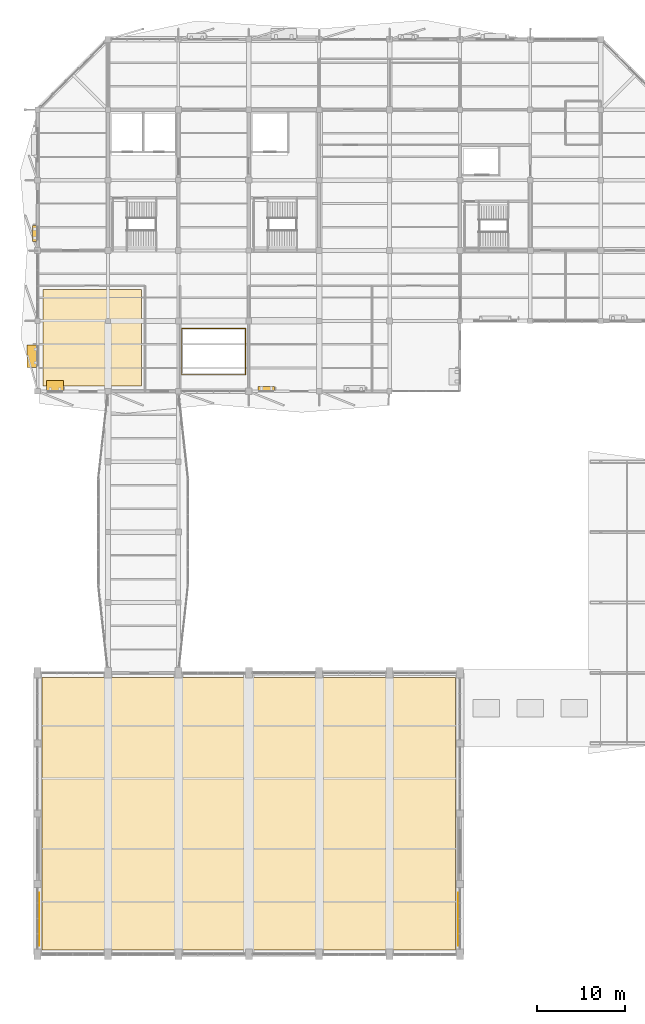
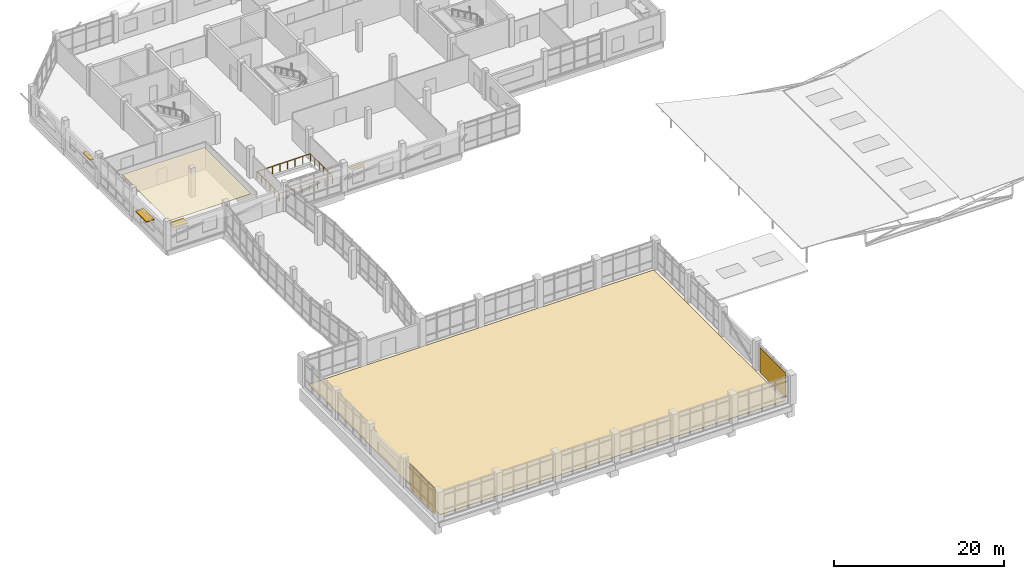
# One storey, part 79 of 84: 4 coverings, 4 shading devices, 1 railing.
"""IFC4 building model written with IfcOpenShell, lengths in metres."""

from ifc_helpers import new_model, si_unit, direction, frame, origin, origin_2d, place, context, subcontext, project, spatial, polyline, rectangle, circle, outline, extrude, material, layer, layer_set, type_object, element, save


model = new_model("IFC4")

# Units and contexts
model_context = context("Model", 3, precision=1e-05, world=origin(), true_north=direction((0.0, 1.0)))
body_context = subcontext(model_context, "Body", "Model", "MODEL_VIEW")
ifc_project = project(units=[si_unit("LENGTHUNIT", "METRE"), si_unit("AREAUNIT", "SQUARE_METRE"), si_unit("VOLUMEUNIT", "CUBIC_METRE"), si_unit("PLANEANGLEUNIT", "RADIAN"), si_unit("MASSUNIT", "GRAM", prefix="KILO")], contexts=[model_context])

# Site, building, storey
site_placement = place(None, origin())
site = spatial("IfcSite", under=ifc_project, at=site_placement, CompositionType="ELEMENT")
building_placement = place(site_placement, origin())
building = spatial("IfcBuilding", under=site, at=building_placement, Name="Tenunan Teduh Sports Hall", CompositionType="ELEMENT")
storey_placement = place(building_placement, frame((0.0, 0.0, 10.800048828125)))
storey = spatial("IfcBuildingStorey", under=building, at=storey_placement, Name="L02", CompositionType="ELEMENT", Elevation=10.800048828125)

# Coverings
ifc_material_1 = material(Name="Perforated mineral-fibre acoustic ceiling")
ifc_layer_1 = layer(ifc_material_1, 0.0400390625)
ifc_layer_set_1 = layer_set([ifc_layer_1], Name="Perforated mineral-fibre acoustic ceiling")
covering_type_1 = type_object("IfcCoveringType", Name="COV-CLG-AC", PredefinedType="CEILING", material=ifc_layer_set_1)
covering_1_placement = place(storey_placement, frame((0.0, 0.0, 3.39990234375)))
element("IfcCovering", 1, at=covering_1_placement, inside=storey, type_object=covering_type_1, Name="COV-CLG-L02W", PredefinedType="CEILING", context=body_context, shape_type="SweptSolid", body=[
    extrude(outline(polyline([(6.60009765625, 78.60009765625), (17.800048828125, 78.60009765625), (17.800048828125, 89.60009765625), (6.60009765625, 89.60009765625), (6.60009765625, 78.60009765625)])), origin(), (0.0, 0.0, 1.0), 0.0400390625),
])
ifc_material_2 = material(Name="FIBA area-elastic sprung maple sports floor")
ifc_layer_2 = layer(ifc_material_2, 0.06494140625)
ifc_layer_set_2 = layer_set([ifc_layer_2], Name="FIBA area-elastic sprung maple sports floor")
covering_type_2 = type_object("IfcCoveringType", Name="COV-FLR-SPR", PredefinedType="FLOORING", material=ifc_layer_set_2)
covering_2_placement = place(storey_placement, origin())
element("IfcCovering", 2, at=covering_2_placement, inside=storey, type_object=covering_type_2, Name="COV-FLR-V2U", PredefinedType="FLOORING", context=body_context, shape_type="SweptSolid", body=[
    extrude(outline(polyline([(6.5, 14.5), (53.5, 14.5), (53.5, 45.5), (6.5, 45.5), (6.5, 14.5)])), origin(), (0.0, 0.0, 1.0), 0.06494140625),
])
ifc_material_3 = material(Name="Slatted timber acoustic wall absorption panel", Category="wood")
ifc_layer_3 = layer(ifc_material_3, 0.050048828125)
ifc_layer_set_3 = layer_set([ifc_layer_3], Name="Slatted timber acoustic wall absorption panel")
covering_type_3 = type_object("IfcCoveringType", Name="COV-WALL-AC", PredefinedType="CLADDING", material=ifc_layer_set_3)
covering_3_placement = place(storey_placement, origin())
element("IfcCovering", 3, at=covering_3_placement, inside=storey, type_object=covering_type_3, Name="COV-WLN-05", PredefinedType="CLADDING", context=body_context, shape_type="SweptSolid", body=[
    extrude(outline(polyline([(6.139892578125, 15.0), (6.18994140625, 15.0), (6.18994140625, 21.0), (6.139892578125, 21.0), (6.139892578125, 15.0)])), origin(), (0.0, 0.0, 1.0), 3.599853515625),
])
covering_4_placement = place(storey_placement, origin())
element("IfcCovering", 4, at=covering_4_placement, inside=storey, type_object=covering_type_3, Name="COV-WLN-06", PredefinedType="CLADDING", context=body_context, shape_type="SweptSolid", body=[
    extrude(outline(polyline([(53.81005859375, 15.0), (53.860107421875, 15.0), (53.860107421875, 21.0), (53.81005859375, 21.0), (53.81005859375, 15.0)])), origin(), (0.0, 0.0, 1.0), 3.599853515625),
])

# Railing
ifc_material_4 = material(Name="Laminated safety glass and stainless steel", Category="steel")
ifc_layer_4 = layer(ifc_material_4, 0.080078125)
ifc_layer_set_4 = layer_set([ifc_layer_4], Name="Laminated safety glass and stainless steel")
railing_type = type_object("IfcRailingType", Name="RLG-BAL-GLZ", PredefinedType="BALUSTRADE", material=ifc_layer_set_4)
railing_placement = place(storey_placement, frame((22.3798828125, 79.9599609375, 0.0)))
element("IfcRailing", 5, at=railing_placement, inside=storey, type_object=railing_type, Name="RLG-L02-V5W-VOID", PredefinedType="BALUSTRADE", context=body_context, shape_type="SweptSolid", body=[
    extrude(circle(Radius=0.02392578125, at=origin_2d()), frame((0.0, 0.0, 1.09619140625), z_axis=(0.0, -1.0, 0.0), x_axis=(1.0, 0.0, 0.0)), (0.0, 0.0, 1.0), 0.080078125),
    extrude(circle(Radius=0.02392578125, at=origin_2d()), frame((0.0, -0.080078125, 1.09619140625), z_axis=(1.0, 0.0, 0.0), x_axis=(0.0, 1.0, 0.0)), (0.0, 0.0, 1.0), 7.240234375),
    extrude(circle(Radius=0.02392578125, at=origin_2d()), frame((7.240234375, -0.080078125, 1.09619140625), z_axis=(0.0, 1.0, 0.0), x_axis=(-1.0, 0.0, 0.0)), (0.0, 0.0, 1.0), 5.240234375),
    extrude(circle(Radius=0.02392578125, at=origin_2d()), frame((7.240234375, 5.16015625, 1.09619140625), z_axis=(-1.0, 0.0, 0.0), x_axis=(0.0, -1.0, 0.0)), (0.0, 0.0, 1.0), 7.240234375),
    extrude(circle(Radius=0.02392578125, at=origin_2d()), frame((0.0, 5.16015625, 1.09619140625), z_axis=(0.0, -1.0, 0.0), x_axis=(1.0, 0.0, 0.0)), (0.0, 0.0, 1.0), 5.06005859375),
    extrude(circle(Radius=0.02099609375, at=origin_2d()), origin(), (0.0, 0.0, 1.0), 1.072021484375),
    extrude(circle(Radius=0.02099609375, at=origin_2d()), frame((0.0, -0.080078125, 0.0)), (0.0, 0.0, 1.0), 1.072021484375),
    extrude(circle(Radius=0.02099609375, at=origin_2d()), frame((1.034423828125, -0.080078125, 0.0)), (0.0, 0.0, 1.0), 1.072021484375),
    extrude(circle(Radius=0.02099609375, at=origin_2d()), frame((2.068603515625, -0.080078125, 0.0)), (0.0, 0.0, 1.0), 1.072021484375),
    extrude(circle(Radius=0.02099609375, at=origin_2d()), frame((3.10302734375, -0.080078125, 0.0)), (0.0, 0.0, 1.0), 1.072021484375),
    extrude(circle(Radius=0.02099609375, at=origin_2d()), frame((4.13720703125, -0.080078125, 0.0)), (0.0, 0.0, 1.0), 1.072021484375),
    extrude(circle(Radius=0.02099609375, at=origin_2d()), frame((5.171630859375, -0.080078125, 0.0)), (0.0, 0.0, 1.0), 1.072021484375),
    extrude(circle(Radius=0.02099609375, at=origin_2d()), frame((6.205810546875, -0.080078125, 0.0)), (0.0, 0.0, 1.0), 1.072021484375),
    extrude(circle(Radius=0.02099609375, at=origin_2d()), frame((7.240234375, -0.080078125, 0.0)), (0.0, 0.0, 1.0), 1.072021484375),
    extrude(circle(Radius=0.02099609375, at=origin_2d()), frame((7.240234375, 0.968017578125, 0.0)), (0.0, 0.0, 1.0), 1.072021484375),
    extrude(circle(Radius=0.02099609375, at=origin_2d()), frame((7.240234375, 2.01611328125, 0.0)), (0.0, 0.0, 1.0), 1.072021484375),
    extrude(circle(Radius=0.02099609375, at=origin_2d()), frame((7.240234375, 3.06396484375, 0.0)), (0.0, 0.0, 1.0), 1.072021484375),
    extrude(circle(Radius=0.02099609375, at=origin_2d()), frame((7.240234375, 4.112060546875, 0.0)), (0.0, 0.0, 1.0), 1.072021484375),
    extrude(circle(Radius=0.02099609375, at=origin_2d()), frame((7.240234375, 5.16015625, 0.0)), (0.0, 0.0, 1.0), 1.072021484375),
    extrude(circle(Radius=0.02099609375, at=origin_2d()), frame((6.205810546875, 5.16015625, 0.0)), (0.0, 0.0, 1.0), 1.072021484375),
    extrude(circle(Radius=0.02099609375, at=origin_2d()), frame((5.171630859375, 5.16015625, 0.0)), (0.0, 0.0, 1.0), 1.072021484375),
    extrude(circle(Radius=0.02099609375, at=origin_2d()), frame((4.13720703125, 5.16015625, 0.0)), (0.0, 0.0, 1.0), 1.072021484375),
    extrude(circle(Radius=0.02099609375, at=origin_2d()), frame((3.10302734375, 5.16015625, 0.0)), (0.0, 0.0, 1.0), 1.072021484375),
    extrude(circle(Radius=0.02099609375, at=origin_2d()), frame((2.068603515625, 5.16015625, 0.0)), (0.0, 0.0, 1.0), 1.072021484375),
    extrude(circle(Radius=0.02099609375, at=origin_2d()), frame((1.034423828125, 5.16015625, 0.0)), (0.0, 0.0, 1.0), 1.072021484375),
    extrude(circle(Radius=0.02099609375, at=origin_2d()), frame((0.0, 5.16015625, 0.0)), (0.0, 0.0, 1.0), 1.072021484375),
    extrude(circle(Radius=0.02099609375, at=origin_2d()), frame((0.0, 4.148193359375, 0.0)), (0.0, 0.0, 1.0), 1.072021484375),
    extrude(circle(Radius=0.02099609375, at=origin_2d()), frame((0.0, 3.13623046875, 0.0)), (0.0, 0.0, 1.0), 1.072021484375),
    extrude(circle(Radius=0.02099609375, at=origin_2d()), frame((0.0, 2.1240234375, 0.0)), (0.0, 0.0, 1.0), 1.072021484375),
    extrude(circle(Radius=0.02099609375, at=origin_2d()), frame((0.0, 1.112060546875, 0.0)), (0.0, 0.0, 1.0), 1.072021484375),
    extrude(circle(Radius=0.02099609375, at=origin_2d()), frame((0.0, 0.10009765625, 0.0)), (0.0, 0.0, 1.0), 1.072021484375),
])

# Shading devices
ifc_material_5 = material(Name="Perforated anodised aluminium", Category="aluminium")
shading_device_type_1 = type_object("IfcShadingDeviceType", Name="SHD-LOUVRE-1", PredefinedType="AWNING", material=ifc_material_5)
shading_device_1_placement = place(storey_placement, frame((32.0, 78.324951171875, 2.56982421875), z_axis=(0.0, 0.0, 1.0), x_axis=(1.0, 0.0, 0.0)))
element("IfcShadingDevice", 6, at=shading_device_1_placement, inside=storey, type_object=shading_device_type_1, Name="SHD-L02-039", PredefinedType="AWNING", context=body_context, shape_type="SweptSolid", body=[
    extrude(rectangle(XDim=1.89990234375, YDim=0.449951171875, at=origin_2d()), origin(), (0.0, 0.0, 1.0), 0.080078125),
])
shading_device_2_placement = place(storey_placement, frame((5.655029296875, 95.949951171875, 2.56982421875), z_axis=(0.0, 0.0, 1.0), x_axis=(0.0, 1.0, 0.0)))
element("IfcShadingDevice", 7, at=shading_device_2_placement, inside=storey, type_object=shading_device_type_1, Name="SHD-L02-051", PredefinedType="AWNING", context=body_context, shape_type="SweptSolid", body=[
    extrude(rectangle(XDim=1.800048828125, YDim=0.449951171875, at=origin_2d()), origin(), (0.0, 0.0, 1.0), 0.080078125),
])
ifc_material_6 = material(Name="Perforated anodised aluminium", Category="aluminium")
shading_device_type_2 = type_object("IfcShadingDeviceType", Name="SHD-SUNSHADE-1", PredefinedType="JALOUSIE", material=ifc_material_6)
shading_device_3_placement = place(storey_placement, frame((7.97509765625, 78.669921875, 2.5498046875), z_axis=(0.0, 0.0, 1.0), x_axis=(1.0, 0.0, 0.0)))
element("IfcShadingDevice", 8, at=shading_device_3_placement, inside=storey, type_object=shading_device_type_2, Name="SHD-L02-038", PredefinedType="JALOUSIE", context=body_context, shape_type="SweptSolid", body=[
    extrude(rectangle(XDim=1.89990234375, YDim=1.10009765625, at=origin_2d()), origin(), (0.0, 0.0, 1.0), 0.1201171875),
])
shading_device_4_placement = place(storey_placement, frame((5.3349609375, 82.010009765625, 2.5498046875), z_axis=(0.0, 0.0, 1.0), x_axis=(0.0, 1.0, 0.0)))
element("IfcShadingDevice", 9, at=shading_device_4_placement, inside=storey, type_object=shading_device_type_2, Name="SHD-L02-050", PredefinedType="JALOUSIE", context=body_context, shape_type="SweptSolid", body=[
    extrude(rectangle(XDim=2.550048828125, YDim=1.10009765625, at=origin_2d()), origin(), (0.0, 0.0, 1.0), 0.1201171875),
])

save(model, "model.ifc")
